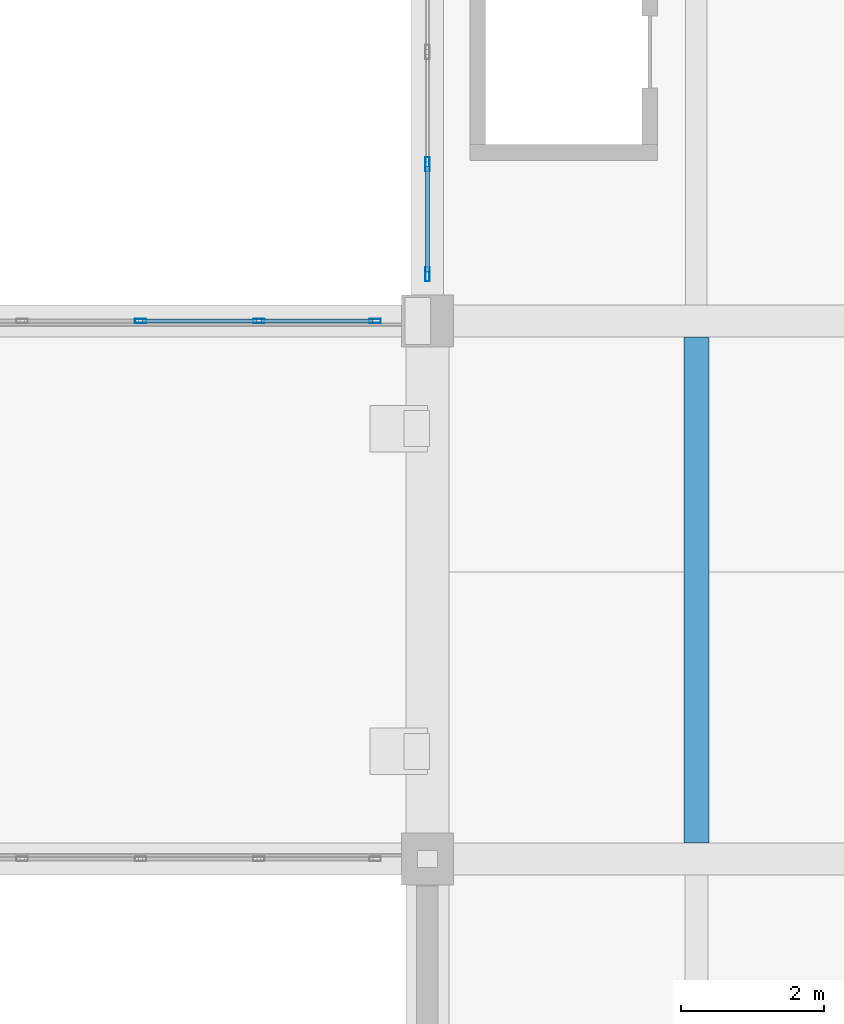
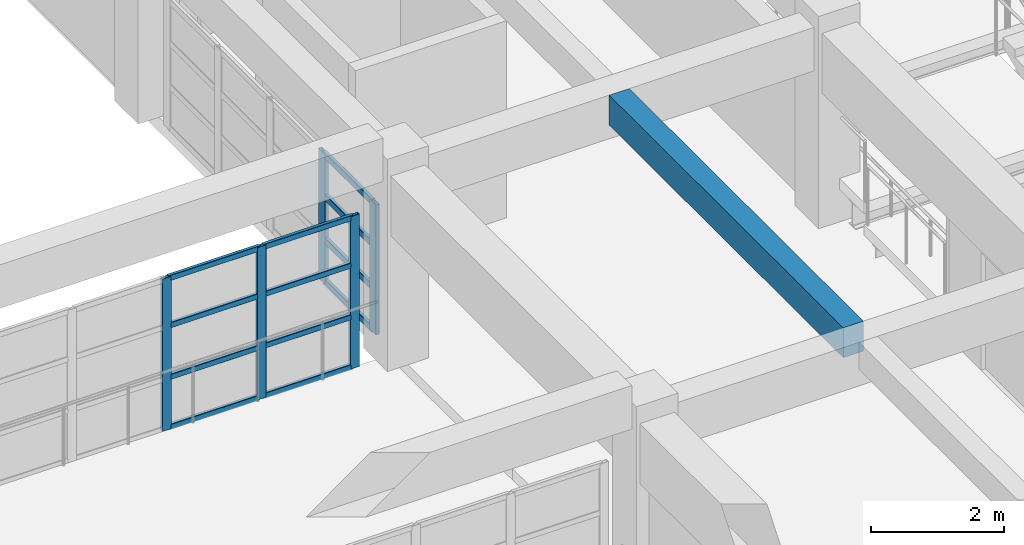
# One storey, part 35 of 101: 17 members, 1 beam, 2 elements without a shape of their own.
"""IFC4 building model written with IfcOpenShell, lengths in metres."""

from ifc_helpers import new_model, si_unit, direction, frame, origin, origin_2d, place, context, subcontext, project, spatial, rectangle, hollow_rectangle, extrude, material, material_profile, profile_set, type_object, element, aggregate, save


model = new_model("IFC4")

# Units and contexts
model_context = context("Model", 3, precision=1e-05, world=origin(), true_north=direction((0.0, 1.0)))
body_context = subcontext(model_context, "Body", "Model", "MODEL_VIEW")
ifc_project = project(units=[si_unit("LENGTHUNIT", "METRE"), si_unit("AREAUNIT", "SQUARE_METRE"), si_unit("VOLUMEUNIT", "CUBIC_METRE"), si_unit("PLANEANGLEUNIT", "RADIAN"), si_unit("MASSUNIT", "GRAM", prefix="KILO")], contexts=[model_context])

# Site, building, storey
site_placement = place(None, origin())
site = spatial("IfcSite", under=ifc_project, at=site_placement, CompositionType="ELEMENT")
building_placement = place(site_placement, origin())
building = spatial("IfcBuilding", under=site, at=building_placement, Name="Qasida Concert Hall", CompositionType="ELEMENT")
storey_placement = place(building_placement, frame((0.0, 0.0, 13.199951171875)))
storey = spatial("IfcBuildingStorey", under=building, at=storey_placement, Name="L03", CompositionType="ELEMENT", Elevation=13.199951171875)

# Beam
ifc_material_1 = material(Name="Concrete C40/50", Category="concrete")
ifc_material_profile_1 = material_profile(ifc_material_1, rectangle(XDim=0.35009765625, YDim=0.550048828125, at=origin_2d()), Name="RC 350x550")
ifc_profile_set_1 = profile_set([ifc_material_profile_1], Name="Concrete C40/50")
beam_type = type_object("IfcBeamType", Name="BM-J8", PredefinedType="JOIST", material=ifc_profile_set_1)
beam_placement = place(storey_placement, frame((56.25, 30.22509765625, 3.344970703125), z_axis=(0.0, 1.0, 0.0), x_axis=(-1.0, 0.0, 0.0)))
element("IfcBeam", 1, at=beam_placement, inside=storey, type_object=beam_type, Name="L03 secondary joist 1575", PredefinedType="JOIST", context=body_context, shape_type="SweptSolid", body=[
    extrude(rectangle(XDim=0.35009765625, YDim=0.550048828125, at=origin_2d()), origin(), (0.0, 0.0, 1.0), 7.0498046875),
])

# Curtain wall, members
ifc_material_2 = material(Name="Architectural bronze-anodized aluminium and low-E glass", Category="aluminium")
curtain_wall_type_1 = type_object("IfcCurtainWallType", Name="CW-04", PredefinedType="NOTDEFINED", material=ifc_material_2)
curtain_wall_1_placement = place(storey_placement, origin())
curtain_wall_1 = element("IfcCurtainWall", 2, at=curtain_wall_1_placement, inside=storey, type_object=curtain_wall_type_1, Name="L03 curtain wall CW-04 0052", PredefinedType="NOTDEFINED")
ifc_material_3 = material(Name="Architectural bronze-anodized aluminium EN AW-6063", Category="aluminium")
ifc_material_profile_2 = material_profile(ifc_material_3, hollow_rectangle(XDim=0.06494140625, YDim=0.199951171875, WallThickness=0.0048828125, InnerFilletRadius=0.0048828125, OuterFilletRadius=0.010009765625, at=origin_2d()), Name="CWM 200x65x5")
ifc_profile_set_2 = profile_set([ifc_material_profile_2], Name="Architectural bronze-anodized aluminium EN AW-6063")
member_type_1 = type_object("IfcMemberType", Name="MB-CWM-2", PredefinedType="MULLION", material=ifc_profile_set_2)
member_1_placement = place(storey_placement, frame((52.5, 38.152587890625, 0.0), z_axis=(0.0, 0.0, 1.0), x_axis=(-1.0, 0.0, 0.0)))
member_1 = element("IfcMember", 3, at=member_1_placement, type_object=member_type_1, Name="CW-04 mullion 1", PredefinedType="MULLION", context=body_context, shape_type="SweptSolid", body=[
    extrude(hollow_rectangle(XDim=0.06494140625, YDim=0.199951171875, WallThickness=0.0048828125, InnerFilletRadius=0.0048828125, OuterFilletRadius=0.010009765625, at=origin_2d()), origin(), (0.0, 0.0, 1.0), 2.39013671875),
])
member_2_placement = place(storey_placement, frame((52.5, 39.68505859375, 0.0), z_axis=(0.0, 0.0, 1.0), x_axis=(-1.0, 0.0, 0.0)))
member_2 = element("IfcMember", 4, at=member_2_placement, type_object=member_type_1, Name="CW-04 mullion 2", PredefinedType="MULLION", context=body_context, shape_type="SweptSolid", body=[
    extrude(hollow_rectangle(XDim=0.06494140625, YDim=0.199951171875, WallThickness=0.0048828125, InnerFilletRadius=0.0048828125, OuterFilletRadius=0.010009765625, at=origin_2d()), origin(), (0.0, 0.0, 1.0), 2.39013671875),
])

curtain_wall_type_2 = type_object("IfcCurtainWallType", Name="CW-09", PredefinedType="NOTDEFINED", material=ifc_material_2)
curtain_wall_2_placement = place(storey_placement, origin())
curtain_wall_2 = element("IfcCurtainWall", 5, at=curtain_wall_2_placement, inside=storey, type_object=curtain_wall_type_2, Name="L03 link bridge glazing 0209", PredefinedType="NOTDEFINED")
ifc_material_profile_3 = material_profile(ifc_material_3, hollow_rectangle(XDim=0.06005859375, YDim=0.159912109375, WallThickness=0.00390625, InnerFilletRadius=0.00390625, OuterFilletRadius=0.008056640625, at=origin_2d()), Name="CWM 160x60x4")
ifc_profile_set_3 = profile_set([ifc_material_profile_3], Name="Architectural bronze-anodized aluminium EN AW-6063")
member_type_2 = type_object("IfcMemberType", Name="MB-CWM-3", PredefinedType="MULLION", material=ifc_profile_set_3)
member_3_placement = place(storey_placement, frame((48.5, 37.5, 0.0), z_axis=(0.0, 0.0, 1.0), x_axis=(0.0, 1.0, 0.0)))
member_3 = element("IfcMember", 6, at=member_3_placement, type_object=member_type_2, Name="CW-09 mullion 3", PredefinedType="MULLION", context=body_context, shape_type="SweptSolid", body=[
    extrude(hollow_rectangle(XDim=0.06005859375, YDim=0.159912109375, WallThickness=0.00390625, InnerFilletRadius=0.00390625, OuterFilletRadius=0.008056640625, at=origin_2d()), origin(), (0.0, 0.0, 1.0), 2.800048828125),
])
member_4_placement = place(storey_placement, frame((50.14990234375, 37.5, 0.0), z_axis=(0.0, 0.0, 1.0), x_axis=(0.0, 1.0, 0.0)))
member_4 = element("IfcMember", 7, at=member_4_placement, type_object=member_type_2, Name="CW-09 mullion 4", PredefinedType="MULLION", context=body_context, shape_type="SweptSolid", body=[
    extrude(hollow_rectangle(XDim=0.06005859375, YDim=0.159912109375, WallThickness=0.00390625, InnerFilletRadius=0.00390625, OuterFilletRadius=0.008056640625, at=origin_2d()), origin(), (0.0, 0.0, 1.0), 2.800048828125),
])
member_5_placement = place(storey_placement, frame((51.77001953125, 37.5, 0.0), z_axis=(0.0, 0.0, 1.0), x_axis=(0.0, 1.0, 0.0)))
member_5 = element("IfcMember", 8, at=member_5_placement, type_object=member_type_2, Name="CW-09 mullion 5", PredefinedType="MULLION", context=body_context, shape_type="SweptSolid", body=[
    extrude(hollow_rectangle(XDim=0.06005859375, YDim=0.159912109375, WallThickness=0.00390625, InnerFilletRadius=0.00390625, OuterFilletRadius=0.008056640625, at=origin_2d()), origin(), (0.0, 0.0, 1.0), 2.800048828125),
])

# Member
ifc_material_profile_4 = material_profile(ifc_material_3, hollow_rectangle(XDim=0.06005859375, YDim=0.1201171875, WallThickness=0.00390625, InnerFilletRadius=0.00390625, OuterFilletRadius=0.008056640625, at=origin_2d()), Name="CWT 120x60x4")
ifc_profile_set_4 = profile_set([ifc_material_profile_4], Name="Architectural bronze-anodized aluminium EN AW-6063")
member_type_3 = type_object("IfcMemberType", Name="MB-CWT-2", PredefinedType="USERDEFINED", material=ifc_profile_set_4)
member_6_placement = place(storey_placement, frame((52.5, 38.18505859375, 0.030029296875), z_axis=(0.0, 1.0, 0.0), x_axis=(-1.0, 0.0, 0.0)))
member_6 = element("IfcMember", 9, at=member_6_placement, type_object=member_type_3, Name="CW-04 transom 1.1", ObjectType="TRANSOM", PredefinedType="USERDEFINED", context=body_context, shape_type="SweptSolid", body=[
    extrude(hollow_rectangle(XDim=0.06005859375, YDim=0.1201171875, WallThickness=0.00390625, InnerFilletRadius=0.00390625, OuterFilletRadius=0.008056640625, at=origin_2d()), origin(), (0.0, 0.0, 1.0), 1.467529296875),
])

member_7_placement = place(storey_placement, frame((52.5, 38.18505859375, 0.796630859375), z_axis=(0.0, 1.0, 0.0), x_axis=(-1.0, 0.0, 0.0)))
member_7 = element("IfcMember", 10, at=member_7_placement, type_object=member_type_3, Name="CW-04 transom 1.2", ObjectType="TRANSOM", PredefinedType="USERDEFINED", context=body_context, shape_type="SweptSolid", body=[
    extrude(hollow_rectangle(XDim=0.06005859375, YDim=0.1201171875, WallThickness=0.00390625, InnerFilletRadius=0.00390625, OuterFilletRadius=0.008056640625, at=origin_2d()), origin(), (0.0, 0.0, 1.0), 1.467529296875),
])

member_8_placement = place(storey_placement, frame((52.5, 38.18505859375, 1.59326171875), z_axis=(0.0, 1.0, 0.0), x_axis=(-1.0, 0.0, 0.0)))
member_8 = element("IfcMember", 11, at=member_8_placement, type_object=member_type_3, Name="CW-04 transom 1.3", ObjectType="TRANSOM", PredefinedType="USERDEFINED", context=body_context, shape_type="SweptSolid", body=[
    extrude(hollow_rectangle(XDim=0.06005859375, YDim=0.1201171875, WallThickness=0.00390625, InnerFilletRadius=0.00390625, OuterFilletRadius=0.008056640625, at=origin_2d()), origin(), (0.0, 0.0, 1.0), 1.467529296875),
])

member_9_placement = place(storey_placement, frame((52.5, 38.18505859375, 2.360107421875), z_axis=(0.0, 1.0, 0.0), x_axis=(-1.0, 0.0, 0.0)))
member_9 = element("IfcMember", 12, at=member_9_placement, type_object=member_type_3, Name="CW-04 transom 1.4", ObjectType="TRANSOM", PredefinedType="USERDEFINED", context=body_context, shape_type="SweptSolid", body=[
    extrude(hollow_rectangle(XDim=0.06005859375, YDim=0.1201171875, WallThickness=0.00390625, InnerFilletRadius=0.00390625, OuterFilletRadius=0.008056640625, at=origin_2d()), origin(), (0.0, 0.0, 1.0), 1.467529296875),
])

aggregate(curtain_wall_1, [member_1, member_2, member_6, member_7, member_8, member_9])

ifc_material_profile_5 = material_profile(ifc_material_3, hollow_rectangle(XDim=0.06005859375, YDim=0.10009765625, WallThickness=0.00341796875, InnerFilletRadius=0.00341796875, OuterFilletRadius=0.007080078125, at=origin_2d()), Name="CWT 100x60x3.5")
ifc_profile_set_5 = profile_set([ifc_material_profile_5], Name="Architectural bronze-anodized aluminium EN AW-6063")
member_type_4 = type_object("IfcMemberType", Name="MB-CWT-3", PredefinedType="USERDEFINED", material=ifc_profile_set_5)
member_10_placement = place(storey_placement, frame((48.530029296875, 37.5, 0.030029296875), z_axis=(1.0, 0.0, 0.0), x_axis=(0.0, 1.0, 0.0)))
member_10 = element("IfcMember", 13, at=member_10_placement, type_object=member_type_4, Name="CW-09 transom 3.1", ObjectType="TRANSOM", PredefinedType="USERDEFINED", context=body_context, shape_type="SweptSolid", body=[
    extrude(hollow_rectangle(XDim=0.06005859375, YDim=0.10009765625, WallThickness=0.00341796875, InnerFilletRadius=0.00341796875, OuterFilletRadius=0.007080078125, at=origin_2d()), origin(), (0.0, 0.0, 1.0), 1.590087890625),
])

member_11_placement = place(storey_placement, frame((48.530029296875, 37.5, 0.949951171875), z_axis=(1.0, 0.0, 0.0), x_axis=(0.0, 1.0, 0.0)))
member_11 = element("IfcMember", 14, at=member_11_placement, type_object=member_type_4, Name="CW-09 transom 3.2", ObjectType="TRANSOM", PredefinedType="USERDEFINED", context=body_context, shape_type="SweptSolid", body=[
    extrude(hollow_rectangle(XDim=0.06005859375, YDim=0.10009765625, WallThickness=0.00341796875, InnerFilletRadius=0.00341796875, OuterFilletRadius=0.007080078125, at=origin_2d()), origin(), (0.0, 0.0, 1.0), 1.590087890625),
])

member_12_placement = place(storey_placement, frame((48.530029296875, 37.5, 1.900146484375), z_axis=(1.0, 0.0, 0.0), x_axis=(0.0, 1.0, 0.0)))
member_12 = element("IfcMember", 15, at=member_12_placement, type_object=member_type_4, Name="CW-09 transom 3.3", ObjectType="TRANSOM", PredefinedType="USERDEFINED", context=body_context, shape_type="SweptSolid", body=[
    extrude(hollow_rectangle(XDim=0.06005859375, YDim=0.10009765625, WallThickness=0.00341796875, InnerFilletRadius=0.00341796875, OuterFilletRadius=0.007080078125, at=origin_2d()), origin(), (0.0, 0.0, 1.0), 1.590087890625),
])

member_13_placement = place(storey_placement, frame((48.530029296875, 37.5, 2.77001953125), z_axis=(1.0, 0.0, 0.0), x_axis=(0.0, 1.0, 0.0)))
member_13 = element("IfcMember", 16, at=member_13_placement, type_object=member_type_4, Name="CW-09 transom 3.4", ObjectType="TRANSOM", PredefinedType="USERDEFINED", context=body_context, shape_type="SweptSolid", body=[
    extrude(hollow_rectangle(XDim=0.06005859375, YDim=0.10009765625, WallThickness=0.00341796875, InnerFilletRadius=0.00341796875, OuterFilletRadius=0.007080078125, at=origin_2d()), origin(), (0.0, 0.0, 1.0), 1.590087890625),
])

member_14_placement = place(storey_placement, frame((50.179931640625, 37.5, 0.030029296875), z_axis=(1.0, 0.0, 0.0), x_axis=(0.0, 1.0, 0.0)))
member_14 = element("IfcMember", 17, at=member_14_placement, type_object=member_type_4, Name="CW-09 transom 4.1", ObjectType="TRANSOM", PredefinedType="USERDEFINED", context=body_context, shape_type="SweptSolid", body=[
    extrude(hollow_rectangle(XDim=0.06005859375, YDim=0.10009765625, WallThickness=0.00341796875, InnerFilletRadius=0.00341796875, OuterFilletRadius=0.007080078125, at=origin_2d()), origin(), (0.0, 0.0, 1.0), 1.56005859375),
])

member_15_placement = place(storey_placement, frame((50.179931640625, 37.5, 0.949951171875), z_axis=(1.0, 0.0, 0.0), x_axis=(0.0, 1.0, 0.0)))
member_15 = element("IfcMember", 18, at=member_15_placement, type_object=member_type_4, Name="CW-09 transom 4.2", ObjectType="TRANSOM", PredefinedType="USERDEFINED", context=body_context, shape_type="SweptSolid", body=[
    extrude(hollow_rectangle(XDim=0.06005859375, YDim=0.10009765625, WallThickness=0.00341796875, InnerFilletRadius=0.00341796875, OuterFilletRadius=0.007080078125, at=origin_2d()), origin(), (0.0, 0.0, 1.0), 1.56005859375),
])

member_16_placement = place(storey_placement, frame((50.179931640625, 37.5, 1.900146484375), z_axis=(1.0, 0.0, 0.0), x_axis=(0.0, 1.0, 0.0)))
member_16 = element("IfcMember", 19, at=member_16_placement, type_object=member_type_4, Name="CW-09 transom 4.3", ObjectType="TRANSOM", PredefinedType="USERDEFINED", context=body_context, shape_type="SweptSolid", body=[
    extrude(hollow_rectangle(XDim=0.06005859375, YDim=0.10009765625, WallThickness=0.00341796875, InnerFilletRadius=0.00341796875, OuterFilletRadius=0.007080078125, at=origin_2d()), origin(), (0.0, 0.0, 1.0), 1.56005859375),
])

member_17_placement = place(storey_placement, frame((50.179931640625, 37.5, 2.77001953125), z_axis=(1.0, 0.0, 0.0), x_axis=(0.0, 1.0, 0.0)))
member_17 = element("IfcMember", 20, at=member_17_placement, type_object=member_type_4, Name="CW-09 transom 4.4", ObjectType="TRANSOM", PredefinedType="USERDEFINED", context=body_context, shape_type="SweptSolid", body=[
    extrude(hollow_rectangle(XDim=0.06005859375, YDim=0.10009765625, WallThickness=0.00341796875, InnerFilletRadius=0.00341796875, OuterFilletRadius=0.007080078125, at=origin_2d()), origin(), (0.0, 0.0, 1.0), 1.56005859375),
])

aggregate(curtain_wall_2, [member_3, member_4, member_5, member_10, member_11, member_12, member_13, member_14, member_15, member_16, member_17])

save(model, "model.ifc")
